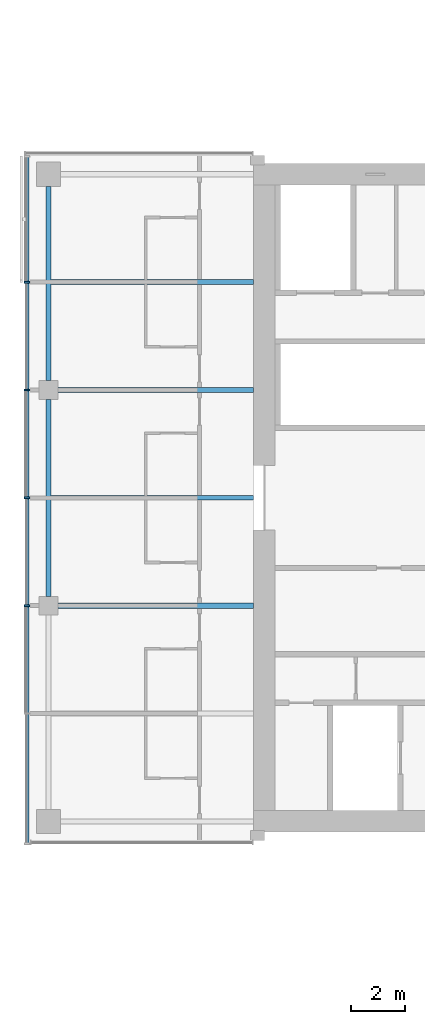
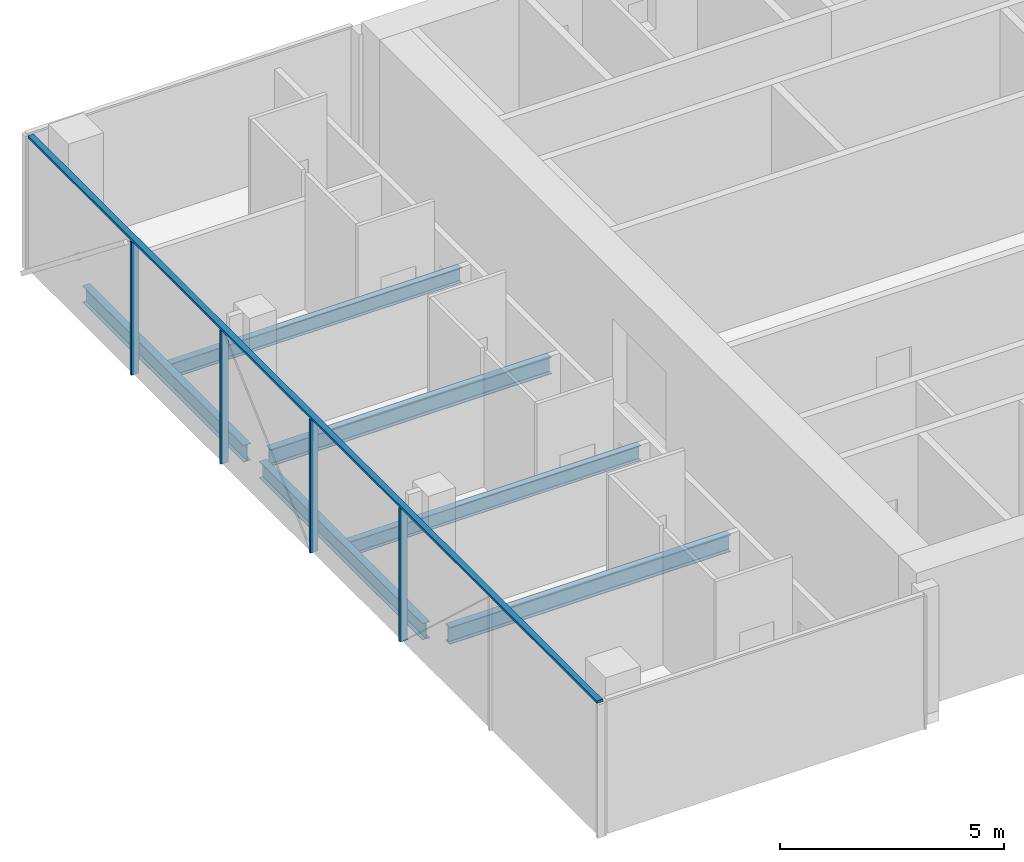
# One storey, part 6 of 29: 6 beams, 5 members, 1 element without a shape of its own.
"""IFC4 building model written with IfcOpenShell, lengths in metres."""

from ifc_helpers import new_model, si_unit, direction, frame, origin, origin_2d, place, context, subcontext, project, spatial, rectangle, i_section, extrude, material, material_profile, profile_set, type_object, element, aggregate, save


model = new_model("IFC4")

# Units and contexts
model_context = context("Model", 3, precision=1e-05, world=origin(), true_north=direction((0.0, 1.0)))
body_context = subcontext(model_context, "Body", "Model", "MODEL_VIEW")
ifc_project = project(units=[si_unit("LENGTHUNIT", "METRE"), si_unit("AREAUNIT", "SQUARE_METRE"), si_unit("VOLUMEUNIT", "CUBIC_METRE"), si_unit("PLANEANGLEUNIT", "RADIAN"), si_unit("MASSUNIT", "GRAM", prefix="KILO")], contexts=[model_context])

# Site, building, storey
site_placement = place(None, origin())
site = spatial("IfcSite", under=ifc_project, at=site_placement, CompositionType="ELEMENT")
building_placement = place(site_placement, origin())
building = spatial("IfcBuilding", under=site, at=building_placement, Name="Crosswind Convention Tower", CompositionType="ELEMENT")
storey_placement = place(building_placement, frame((0.0, 0.0, 60.89990234375)))
storey = spatial("IfcBuildingStorey", under=building, at=storey_placement, Name="L09", CompositionType="ELEMENT", Elevation=60.89990234375)

# Beams
ifc_material_1 = material(Name="Steel S355", Category="steel")
ifc_material_profile_1 = material_profile(ifc_material_1, i_section(OverallWidth=0.1904296875, OverallDepth=0.457275390625, WebThickness=0.009033203125, FlangeThickness=0.014404296875, FilletRadius=0.01025390625, at=origin_2d()), Name="UB 457x191x75")
ifc_profile_set_1 = profile_set([ifc_material_profile_1], Name="Steel S355")
beam_type_1 = type_object("IfcBeamType", Name="Edge beam UB 457x191x75", PredefinedType="SPANDREL", material=ifc_profile_set_1)
beam_1_placement = place(storey_placement, frame((89.0, 96.35009765625, -0.508544921875), z_axis=(0.0, 1.0, 0.0), x_axis=(-1.0, 0.0, 0.0)))
element("IfcBeam", 1, at=beam_1_placement, inside=storey, type_object=beam_type_1, Name="B17 L09 edge beam 2", PredefinedType="SPANDREL", context=body_context, shape_type="SweptSolid", body=[
    extrude(i_section(OverallWidth=0.1904296875, OverallDepth=0.457275390625, WebThickness=0.009033203125, FlangeThickness=0.014404296875, FilletRadius=0.01025390625, at=origin_2d()), origin(), (0.0, 0.0, 1.0), 7.2998046875),
])
beam_2_placement = place(storey_placement, frame((89.0, 104.35009765625, -0.508544921875), z_axis=(0.0, 1.0, 0.0), x_axis=(-1.0, 0.0, 0.0)))
element("IfcBeam", 2, at=beam_2_placement, inside=storey, type_object=beam_type_1, Name="B17 L09 edge beam 3", PredefinedType="SPANDREL", context=body_context, shape_type="SweptSolid", body=[
    extrude(i_section(OverallWidth=0.1904296875, OverallDepth=0.457275390625, WebThickness=0.009033203125, FlangeThickness=0.014404296875, FilletRadius=0.01025390625, at=origin_2d()), origin(), (0.0, 0.0, 1.0), 7.199951171875),
])
ifc_material_profile_2 = material_profile(ifc_material_1, i_section(OverallWidth=0.19189453125, OverallDepth=0.463623046875, WebThickness=0.010498046875, FlangeThickness=0.017578125, FilletRadius=0.01025390625, at=origin_2d()), Name="UB 457x191x90")
ifc_profile_set_2 = profile_set([ifc_material_profile_2], Name="Steel S355")
beam_type_2 = type_object("IfcBeamType", Name="Girder at core wall UB 457x191x90", PredefinedType="BEAM", material=ifc_profile_set_2)
for number, where, z_axis, x_axis, name in (
    (3, (89.35009765625, 96.0, -0.51171875), (1.0, 0.0, 0.0), (0.0, 1.0, 0.0), "B24 L09 girder at core wall 1"),
    (4, (89.35009765625, 104.0, -0.51171875), (1.0, 0.0, 0.0), (0.0, 1.0, 0.0), "B24 L09 girder at core wall 2"),
):
    element("IfcBeam", number, at=place(storey_placement, frame(where, z_axis=z_axis, x_axis=x_axis)), inside=storey, type_object=beam_type_2, Name=name, PredefinedType="BEAM", context=body_context, shape_type="SweptSolid", body=[
        extrude(i_section(OverallWidth=0.19189453125, OverallDepth=0.463623046875, WebThickness=0.010498046875, FlangeThickness=0.017578125, FilletRadius=0.01025390625, at=origin_2d()), origin(), (0.0, 0.0, 1.0), 7.25),
    ])

# Curtain wall, members
ifc_material_2 = material(Name="Aluminium unitised curtain wall", Category="aluminium")
curtain_wall_type = type_object("IfcCurtainWallType", Name="HOTEL UNITISED WALL 200", PredefinedType="USERDEFINED", material=ifc_material_2)
curtain_wall_placement = place(storey_placement, origin())
curtain_wall = element("IfcCurtainWall", 5, at=curtain_wall_placement, inside=storey, type_object=curtain_wall_type, Name="CW2 L09 W-TIP 1", ObjectType="UNITISED", PredefinedType="USERDEFINED")
ifc_material_3 = material(Name="Aluminium mullion", Category="aluminium")
ifc_material_profile_3 = material_profile(ifc_material_3, rectangle(XDim=0.199951171875, YDim=0.06494140625, at=origin_2d()), Name="AL 200X65")
ifc_profile_set_3 = profile_set([ifc_material_profile_3], Name="Aluminium mullion")
member_type_1 = type_object("IfcMemberType", Name="MULLION 65X200", PredefinedType="MULLION", material=ifc_profile_set_3)
member_1_placement = place(storey_placement, frame((88.199951171875, 108.0, -0.27978515625), z_axis=(0.0, 0.0, 1.0), x_axis=(-1.0, 0.0, 0.0)))
member_1 = element("IfcMember", 6, at=member_1_placement, type_object=member_type_1, Name="CW2 mullion 2", PredefinedType="MULLION", context=body_context, shape_type="SweptSolid", body=[
    extrude(rectangle(XDim=0.199951171875, YDim=0.06494140625, at=origin_2d()), origin(), (0.0, 0.0, 1.0), 3.634765625),
])
member_2_placement = place(storey_placement, frame((88.199951171875, 104.0, -0.27978515625), z_axis=(0.0, 0.0, 1.0), x_axis=(-1.0, 0.0, 0.0)))
member_2 = element("IfcMember", 7, at=member_2_placement, type_object=member_type_1, Name="CW2 mullion 3", PredefinedType="MULLION", context=body_context, shape_type="SweptSolid", body=[
    extrude(rectangle(XDim=0.199951171875, YDim=0.06494140625, at=origin_2d()), origin(), (0.0, 0.0, 1.0), 3.634765625),
])
member_3_placement = place(storey_placement, frame((88.199951171875, 100.0, -0.27978515625), z_axis=(0.0, 0.0, 1.0), x_axis=(-1.0, 0.0, 0.0)))
member_3 = element("IfcMember", 8, at=member_3_placement, type_object=member_type_1, Name="CW2 mullion 4", PredefinedType="MULLION", context=body_context, shape_type="SweptSolid", body=[
    extrude(rectangle(XDim=0.199951171875, YDim=0.06494140625, at=origin_2d()), origin(), (0.0, 0.0, 1.0), 3.634765625),
])
member_4_placement = place(storey_placement, frame((88.199951171875, 96.0, -0.27978515625), z_axis=(0.0, 0.0, 1.0), x_axis=(-1.0, 0.0, 0.0)))
member_4 = element("IfcMember", 9, at=member_4_placement, type_object=member_type_1, Name="CW2 mullion 5", PredefinedType="MULLION", context=body_context, shape_type="SweptSolid", body=[
    extrude(rectangle(XDim=0.199951171875, YDim=0.06494140625, at=origin_2d()), origin(), (0.0, 0.0, 1.0), 3.634765625),
])

# Beams
ifc_material_profile_4 = material_profile(ifc_material_1, i_section(OverallWidth=0.177734375, OverallDepth=0.406494140625, WebThickness=0.0078125, FlangeThickness=0.0126953125, FilletRadius=0.01025390625, at=origin_2d()), Name="UB 406x178x60")
ifc_profile_set_4 = profile_set([ifc_material_profile_4], Name="Steel S355")
beam_type_3 = type_object("IfcBeamType", Name="Secondary beam UB 406x178x60", PredefinedType="JOIST", material=ifc_profile_set_4)
for number, where, z_axis, x_axis, name in (
    (10, (89.09521484375, 100.0, -0.483154296875), (1.0, 0.0, 0.0), (0.0, 1.0, 0.0), "B10 L09 secondary beam 2"),
    (11, (89.09521484375, 108.0, -0.483154296875), (1.0, 0.0, 0.0), (0.0, 1.0, 0.0), "B10 L09 secondary beam 3"),
):
    element("IfcBeam", number, at=place(storey_placement, frame(where, z_axis=z_axis, x_axis=x_axis)), inside=storey, type_object=beam_type_3, Name=name, PredefinedType="JOIST", context=body_context, shape_type="SweptSolid", body=[
        extrude(i_section(OverallWidth=0.177734375, OverallDepth=0.406494140625, WebThickness=0.0078125, FlangeThickness=0.0126953125, FilletRadius=0.01025390625, at=origin_2d()), origin(), (0.0, 0.0, 1.0), 7.5048828125),
    ])

# Member
ifc_material_4 = material(Name="Aluminium transom", Category="aluminium")
ifc_material_profile_5 = material_profile(ifc_material_4, rectangle(XDim=0.14990234375, YDim=0.06494140625, at=origin_2d()), Name="AL 150X65")
ifc_profile_set_5 = profile_set([ifc_material_profile_5], Name="Aluminium transom")
member_type_2 = type_object("IfcMemberType", Name="TRANSOM 65X150", PredefinedType="USERDEFINED", material=ifc_profile_set_5)
member_5_placement = place(storey_placement, frame((88.199951171875, 112.635009765625, 3.3876953125), z_axis=(0.0, -1.0, 0.0), x_axis=(1.0, 0.0, 0.0)))
member_5 = element("IfcMember", 12, at=member_5_placement, type_object=member_type_2, Name="CW2 transom", ObjectType="TRANSOM", PredefinedType="USERDEFINED", context=body_context, shape_type="SweptSolid", body=[
    extrude(rectangle(XDim=0.14990234375, YDim=0.06494140625, at=origin_2d()), origin(), (0.0, 0.0, 1.0), 25.429931640625),
])

aggregate(curtain_wall, [member_1, member_2, member_3, member_4, member_5])

save(model, "model.ifc")
